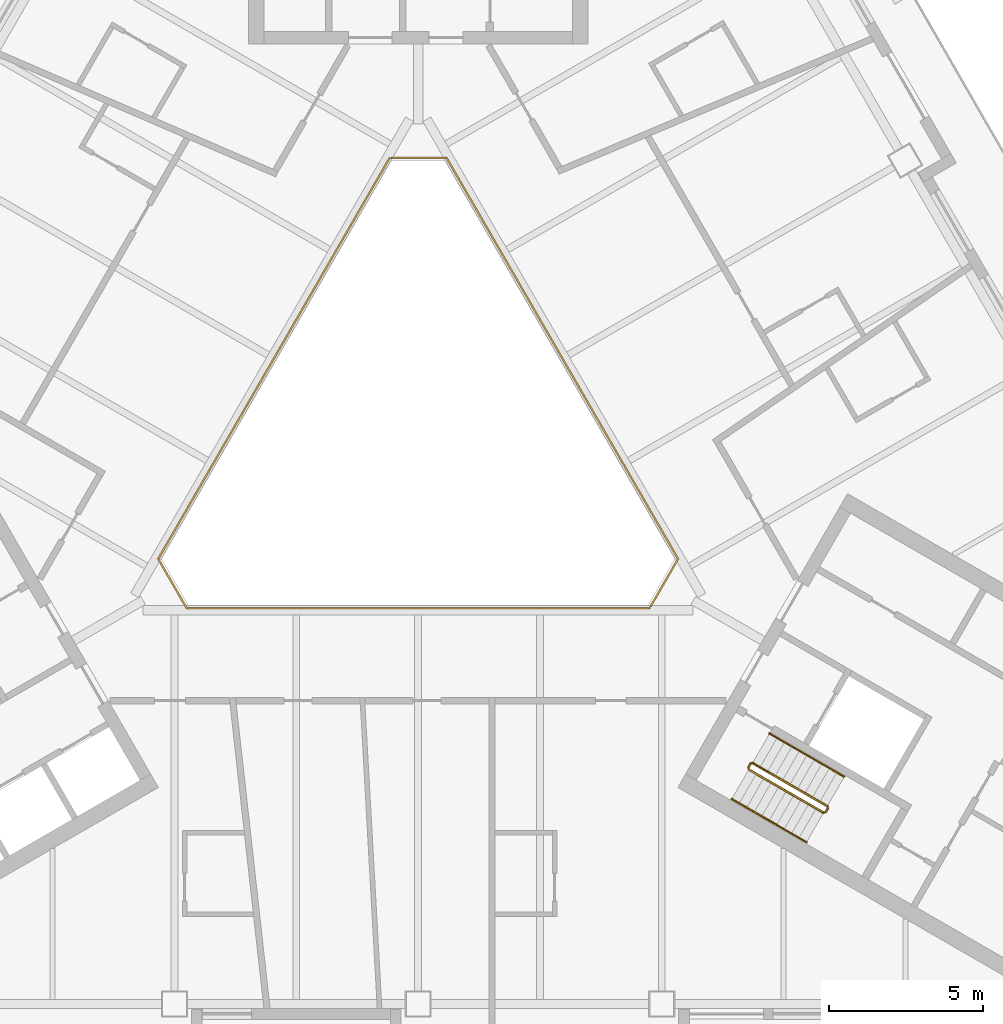
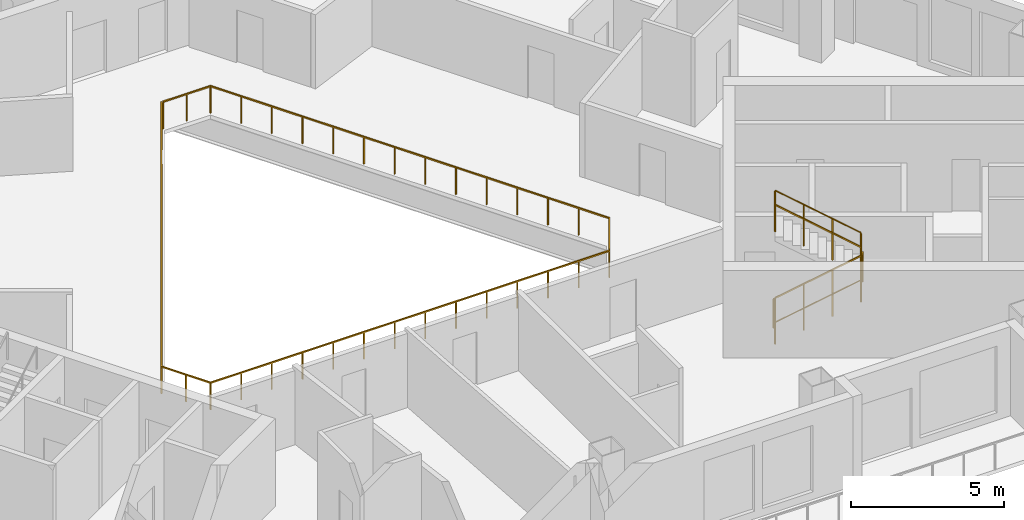
# One storey, part 11 of 13: 8 railings.
"""IFC4 building model written with IfcOpenShell, lengths in metres."""

from ifc_helpers import new_model, si_unit, direction, frame, origin, origin_2d, place, context, subcontext, project, spatial, rectangle, circle, extrude, material, type_object, element, save


model = new_model("IFC4")

# Units and contexts
model_context = context("Model", 3, precision=1e-05, world=origin(), true_north=direction((0.0, 1.0)))
body_context = subcontext(model_context, "Body", "Model", "MODEL_VIEW")
ifc_project = project(units=[si_unit("LENGTHUNIT", "METRE"), si_unit("AREAUNIT", "SQUARE_METRE"), si_unit("VOLUMEUNIT", "CUBIC_METRE"), si_unit("PLANEANGLEUNIT", "RADIAN"), si_unit("MASSUNIT", "GRAM", prefix="KILO")], contexts=[model_context])

# Site, building, storey
site_placement = place(None, origin())
site = spatial("IfcSite", under=ifc_project, at=site_placement, CompositionType="ELEMENT")
building_placement = place(site_placement, origin())
building = spatial("IfcBuilding", under=site, at=building_placement, Name="Apuvela Tower Hotel", CompositionType="ELEMENT")
storey_placement = place(building_placement, frame((0.0, 0.0, 165.10009765625)))
storey = spatial("IfcBuildingStorey", under=building, at=storey_placement, Name="L39", CompositionType="ELEMENT", Elevation=165.10009765625)

# Railings
ifc_material_1 = material(Name="Steel S275 balustrade", Category="steel")
railing_type_1 = type_object("IfcRailingType", Name="COR-GUARD-1100", PredefinedType="GUARDRAIL", material=ifc_material_1)
railing_1_placement = place(storey_placement, frame((10.718994140625, -10.63427734375, 0.16796875)))
element("IfcRailing", 1, at=railing_1_placement, inside=storey, type_object=railing_type_1, Name="L39 ST3 stair guard 1", PredefinedType="GUARDRAIL", context=body_context, shape_type="SweptSolid", body=[
    extrude(rectangle(XDim=0.048095703125, YDim=0.048095703125, at=origin_2d()), frame((0.0, 0.0, 1.076171875), z_axis=(0.742390482028, -0.42860119049, 0.514934356695), x_axis=(0.49998411664, 0.866034573852, 0.0)), (0.0, 0.0, 1.0), 3.26611328125),
    extrude(rectangle(XDim=0.0419921875, YDim=0.0419921875, at=origin_2d()), origin(), (0.0, 0.0, 1.0), 1.052001953125),
    extrude(rectangle(XDim=0.0419921875, YDim=0.0419921875, at=origin_2d()), frame((0.808349609375, -0.466552734375, 0.560546875)), (0.0, 0.0, 1.0), 1.052001953125),
    extrude(rectangle(XDim=0.0419921875, YDim=0.0419921875, at=origin_2d()), frame((1.616455078125, -0.933349609375, 1.121337890625)), (0.0, 0.0, 1.0), 1.052001953125),
    extrude(rectangle(XDim=0.0419921875, YDim=0.0419921875, at=origin_2d()), frame((2.4248046875, -1.39990234375, 1.681884765625)), (0.0, 0.0, 1.0), 1.052001953125),
])
railing_2_placement = place(storey_placement, frame((13.212158203125, -12.015869140625, 1.849853515625)))
element("IfcRailing", 2, at=railing_2_placement, inside=storey, type_object=railing_type_1, Name="L39 ST3 stair guard 2", PredefinedType="GUARDRAIL", context=body_context, shape_type="SweptSolid", body=[
    extrude(rectangle(XDim=0.048095703125, YDim=0.048095703125, at=origin_2d()), frame((0.0, 0.0, 1.076171875), z_axis=(0.499816412211, 0.866131372301, 0.0), x_axis=(-0.866131372301, 0.499816412211, 0.0)), (0.0, 0.0, 1.0), 0.14990234375),
    extrude(rectangle(XDim=0.0419921875, YDim=0.0419921875, at=origin_2d()), origin(), (0.0, 0.0, 1.0), 1.052001953125),
    extrude(rectangle(XDim=0.0419921875, YDim=0.0419921875, at=origin_2d()), frame((0.074951171875, 0.1298828125, 0.0)), (0.0, 0.0, 1.0), 1.052001953125),
])
railing_3_placement = place(storey_placement, frame((13.268798828125, -11.817626953125, 2.01806640625)))
element("IfcRailing", 3, at=railing_3_placement, inside=storey, type_object=railing_type_1, Name="L39 ST3 stair guard 3", PredefinedType="GUARDRAIL", context=body_context, shape_type="SweptSolid", body=[
    extrude(rectangle(XDim=0.048095703125, YDim=0.048095703125, at=origin_2d()), frame((0.0, 0.0, 1.076171875), z_axis=(-0.742390482028, 0.42860119049, 0.514934356695), x_axis=(-0.49998411664, -0.866034573852, 0.0)), (0.0, 0.0, 1.0), 3.26611328125),
    extrude(rectangle(XDim=0.0419921875, YDim=0.0419921875, at=origin_2d()), origin(), (0.0, 0.0, 1.0), 1.052001953125),
    extrude(rectangle(XDim=0.0419921875, YDim=0.0419921875, at=origin_2d()), frame((-0.808349609375, 0.466552734375, 0.560546875)), (0.0, 0.0, 1.0), 1.052001953125),
    extrude(rectangle(XDim=0.0419921875, YDim=0.0419921875, at=origin_2d()), frame((-1.616455078125, 0.933349609375, 1.121337890625)), (0.0, 0.0, 1.0), 1.052001953125),
    extrude(rectangle(XDim=0.0419921875, YDim=0.0419921875, at=origin_2d()), frame((-2.4248046875, 1.39990234375, 1.681884765625)), (0.0, 0.0, 1.0), 1.052001953125),
])
railing_4_placement = place(storey_placement, frame((10.70068359375, -10.56591796875, 0.0)))
element("IfcRailing", 4, at=railing_4_placement, inside=storey, type_object=railing_type_1, Name="L39 ST3 stair guard 4", PredefinedType="GUARDRAIL", context=body_context, shape_type="SweptSolid", body=[
    extrude(rectangle(XDim=0.048095703125, YDim=0.048095703125, at=origin_2d()), frame((0.0, 0.0, 1.076171875), z_axis=(0.499816412211, 0.866131372301, 0.0), x_axis=(-0.866131372301, 0.499816412211, 0.0)), (0.0, 0.0, 1.0), 0.14990234375),
    extrude(rectangle(XDim=0.0419921875, YDim=0.0419921875, at=origin_2d()), origin(), (0.0, 0.0, 1.0), 1.052001953125),
    extrude(rectangle(XDim=0.0419921875, YDim=0.0419921875, at=origin_2d()), frame((0.074951171875, 0.1298828125, 0.0)), (0.0, 0.0, 1.0), 1.052001953125),
])
ifc_material_2 = material(Name="Stainless steel 316 handrail", Category="steel")
railing_type_2 = type_object("IfcRailingType", Name="COR-HANDRAIL-900", PredefinedType="HANDRAIL", material=ifc_material_2)
railing_5_placement = place(storey_placement, frame((10.1689453125, -11.5869140625, 0.16796875)))
element("IfcRailing", 5, at=railing_5_placement, inside=storey, type_object=railing_type_2, Name="L39 ST3 stair handrail 1", PredefinedType="HANDRAIL", context=body_context, shape_type="SweptSolid", body=[
    extrude(circle(Radius=0.02392578125, at=origin_2d()), frame((0.0, 0.0, 0.8759765625), z_axis=(0.742390482028, -0.42860119049, 0.514934356695), x_axis=(0.49998411664, 0.866034573852, 0.0)), (0.0, 0.0, 1.0), 3.26611328125),
    extrude(rectangle(XDim=0.0419921875, YDim=0.0419921875, at=origin_2d()), origin(), (0.0, 0.0, 1.0), 0.851806640625),
    extrude(rectangle(XDim=0.0419921875, YDim=0.0419921875, at=origin_2d()), frame((0.808349609375, -0.466552734375, 0.560546875)), (0.0, 0.0, 1.0), 0.851806640625),
    extrude(rectangle(XDim=0.0419921875, YDim=0.0419921875, at=origin_2d()), frame((1.616455078125, -0.933349609375, 1.121337890625)), (0.0, 0.0, 1.0), 0.851806640625),
    extrude(rectangle(XDim=0.0419921875, YDim=0.0419921875, at=origin_2d()), frame((2.4248046875, -1.39990234375, 1.681884765625)), (0.0, 0.0, 1.0), 0.851806640625),
])
railing_6_placement = place(storey_placement, frame((13.81884765625, -10.864990234375, 2.01806640625)))
element("IfcRailing", 6, at=railing_6_placement, inside=storey, type_object=railing_type_2, Name="L39 ST3 stair handrail 2", PredefinedType="HANDRAIL", context=body_context, shape_type="SweptSolid", body=[
    extrude(circle(Radius=0.02392578125, at=origin_2d()), frame((0.0, 0.0, 0.8759765625), z_axis=(-0.742390482028, 0.42860119049, 0.514934356695), x_axis=(-0.49998411664, -0.866034573852, 0.0)), (0.0, 0.0, 1.0), 3.26611328125),
    extrude(rectangle(XDim=0.0419921875, YDim=0.0419921875, at=origin_2d()), origin(), (0.0, 0.0, 1.0), 0.851806640625),
    extrude(rectangle(XDim=0.0419921875, YDim=0.0419921875, at=origin_2d()), frame((-0.808349609375, 0.466552734375, 0.560546875)), (0.0, 0.0, 1.0), 0.851806640625),
    extrude(rectangle(XDim=0.0419921875, YDim=0.0419921875, at=origin_2d()), frame((-1.616455078125, 0.933349609375, 1.121337890625)), (0.0, 0.0, 1.0), 0.851806640625),
    extrude(rectangle(XDim=0.0419921875, YDim=0.0419921875, at=origin_2d()), frame((-2.4248046875, 1.39990234375, 1.681884765625)), (0.0, 0.0, 1.0), 0.851806640625),
])
ifc_material_3 = material(Name="Stainless steel 316 rail with laminated glass infill", Category="steel")
railing_type_3 = type_object("IfcRailingType", Name="ENV-GUARD-1100", PredefinedType="GUARDRAIL", material=ifc_material_3)
railing_7_placement = place(storey_placement, frame((-0.923828125, 9.199951171875, 0.0)))
element("IfcRailing", 7, at=railing_7_placement, inside=storey, type_object=railing_type_3, Name="Atrium void guard A L39", PredefinedType="GUARDRAIL", context=body_context, shape_type="SweptSolid", body=[
    extrude(rectangle(XDim=0.050048828125, YDim=0.050048828125, at=origin_2d()), frame((0.0, 0.0, 1.0751953125), z_axis=(-0.499990886379, -0.866030665472, 0.0), x_axis=(0.866030665472, -0.499990886379, 0.0)), (0.0, 0.0, 1.0), 15.010986328125),
    extrude(rectangle(XDim=0.050048828125, YDim=0.050048828125, at=origin_2d()), frame((-7.50537109375, -13.0, 1.0751953125), z_axis=(0.499962699187, -0.866046938348, 0.0), x_axis=(0.866046938348, 0.499962699187, 0.0)), (0.0, 0.0, 1.0), 1.847412109375),
    extrude(rectangle(XDim=0.050048828125, YDim=0.050048828125, at=origin_2d()), frame((-6.581787109375, -14.599853515625, 1.0751953125), z_axis=(1.0, 0.0, 0.0), x_axis=(0.0, 1.0, 0.0)), (0.0, 0.0, 1.0), 15.01123046875),
    extrude(rectangle(XDim=0.0400390625, YDim=0.0400390625, at=origin_2d()), origin(), (0.0, 0.0, 1.0), 1.050048828125),
    extrude(rectangle(XDim=0.0400390625, YDim=0.0400390625, at=origin_2d()), frame((-0.577392578125, -1.0, 0.0)), (0.0, 0.0, 1.0), 1.050048828125),
    extrude(rectangle(XDim=0.0400390625, YDim=0.0400390625, at=origin_2d()), frame((-1.15478515625, -2.0, 0.0)), (0.0, 0.0, 1.0), 1.050048828125),
    extrude(rectangle(XDim=0.0400390625, YDim=0.0400390625, at=origin_2d()), frame((-1.73193359375, -3.0, 0.0)), (0.0, 0.0, 1.0), 1.050048828125),
    extrude(rectangle(XDim=0.0400390625, YDim=0.0400390625, at=origin_2d()), frame((-2.309326171875, -4.0, 0.0)), (0.0, 0.0, 1.0), 1.050048828125),
    extrude(rectangle(XDim=0.0400390625, YDim=0.0400390625, at=origin_2d()), frame((-2.88671875, -5.0, 0.0)), (0.0, 0.0, 1.0), 1.050048828125),
    extrude(rectangle(XDim=0.0400390625, YDim=0.0400390625, at=origin_2d()), frame((-3.464111328125, -6.0, 0.0)), (0.0, 0.0, 1.0), 1.050048828125),
    extrude(rectangle(XDim=0.0400390625, YDim=0.0400390625, at=origin_2d()), frame((-4.041259765625, -7.0, 0.0)), (0.0, 0.0, 1.0), 1.050048828125),
    extrude(rectangle(XDim=0.0400390625, YDim=0.0400390625, at=origin_2d()), frame((-4.61865234375, -8.0, 0.0)), (0.0, 0.0, 1.0), 1.050048828125),
    extrude(rectangle(XDim=0.0400390625, YDim=0.0400390625, at=origin_2d()), frame((-5.196044921875, -9.0, 0.0)), (0.0, 0.0, 1.0), 1.050048828125),
    extrude(rectangle(XDim=0.0400390625, YDim=0.0400390625, at=origin_2d()), frame((-5.7734375, -10.0, 0.0)), (0.0, 0.0, 1.0), 1.050048828125),
    extrude(rectangle(XDim=0.0400390625, YDim=0.0400390625, at=origin_2d()), frame((-6.3505859375, -11.0, 0.0)), (0.0, 0.0, 1.0), 1.050048828125),
    extrude(rectangle(XDim=0.0400390625, YDim=0.0400390625, at=origin_2d()), frame((-6.927978515625, -12.0, 0.0)), (0.0, 0.0, 1.0), 1.050048828125),
    extrude(rectangle(XDim=0.0400390625, YDim=0.0400390625, at=origin_2d()), frame((-7.50537109375, -13.0, 0.0)), (0.0, 0.0, 1.0), 1.050048828125),
    extrude(rectangle(XDim=0.0400390625, YDim=0.0400390625, at=origin_2d()), frame((-7.04345703125, -13.7998046875, 0.0)), (0.0, 0.0, 1.0), 1.050048828125),
    extrude(rectangle(XDim=0.0400390625, YDim=0.0400390625, at=origin_2d()), frame((-6.581787109375, -14.599853515625, 0.0)), (0.0, 0.0, 1.0), 1.050048828125),
    extrude(rectangle(XDim=0.0400390625, YDim=0.0400390625, at=origin_2d()), frame((-5.427001953125, -14.599853515625, 0.0)), (0.0, 0.0, 1.0), 1.050048828125),
    extrude(rectangle(XDim=0.0400390625, YDim=0.0400390625, at=origin_2d()), frame((-4.2724609375, -14.599853515625, 0.0)), (0.0, 0.0, 1.0), 1.050048828125),
    extrude(rectangle(XDim=0.0400390625, YDim=0.0400390625, at=origin_2d()), frame((-3.11767578125, -14.599853515625, 0.0)), (0.0, 0.0, 1.0), 1.050048828125),
    extrude(rectangle(XDim=0.0400390625, YDim=0.0400390625, at=origin_2d()), frame((-1.962890625, -14.599853515625, 0.0)), (0.0, 0.0, 1.0), 1.050048828125),
    extrude(rectangle(XDim=0.0400390625, YDim=0.0400390625, at=origin_2d()), frame((-0.808349609375, -14.599853515625, 0.0)), (0.0, 0.0, 1.0), 1.050048828125),
    extrude(rectangle(XDim=0.0400390625, YDim=0.0400390625, at=origin_2d()), frame((0.346435546875, -14.599853515625, 0.0)), (0.0, 0.0, 1.0), 1.050048828125),
    extrude(rectangle(XDim=0.0400390625, YDim=0.0400390625, at=origin_2d()), frame((1.501220703125, -14.599853515625, 0.0)), (0.0, 0.0, 1.0), 1.050048828125),
    extrude(rectangle(XDim=0.0400390625, YDim=0.0400390625, at=origin_2d()), frame((2.656005859375, -14.599853515625, 0.0)), (0.0, 0.0, 1.0), 1.050048828125),
    extrude(rectangle(XDim=0.0400390625, YDim=0.0400390625, at=origin_2d()), frame((3.810546875, -14.599853515625, 0.0)), (0.0, 0.0, 1.0), 1.050048828125),
    extrude(rectangle(XDim=0.0400390625, YDim=0.0400390625, at=origin_2d()), frame((4.96533203125, -14.599853515625, 0.0)), (0.0, 0.0, 1.0), 1.050048828125),
    extrude(rectangle(XDim=0.0400390625, YDim=0.0400390625, at=origin_2d()), frame((6.1201171875, -14.599853515625, 0.0)), (0.0, 0.0, 1.0), 1.050048828125),
    extrude(rectangle(XDim=0.0400390625, YDim=0.0400390625, at=origin_2d()), frame((7.274658203125, -14.599853515625, 0.0)), (0.0, 0.0, 1.0), 1.050048828125),
    extrude(rectangle(XDim=0.0400390625, YDim=0.0400390625, at=origin_2d()), frame((8.429443359375, -14.599853515625, 0.0)), (0.0, 0.0, 1.0), 1.050048828125),
])
railing_8_placement = place(storey_placement, frame((7.53564453125, -5.347900390625, 0.0)))
element("IfcRailing", 8, at=railing_8_placement, inside=storey, type_object=railing_type_3, Name="Atrium void guard B L39", PredefinedType="GUARDRAIL", context=body_context, shape_type="SweptSolid", body=[
    extrude(rectangle(XDim=0.050048828125, YDim=0.050048828125, at=origin_2d()), frame((0.0, 0.0, 1.0751953125), z_axis=(0.499958946799, 0.866049104564, 0.0), x_axis=(-0.866049104564, 0.499958946799, 0.0)), (0.0, 0.0, 1.0), 1.787353515625),
    extrude(rectangle(XDim=0.050048828125, YDim=0.050048828125, at=origin_2d()), frame((0.8935546875, 1.5478515625, 1.0751953125), z_axis=(-0.499990886379, 0.866030665472, 0.0), x_axis=(-0.866030665472, -0.499990886379, 0.0)), (0.0, 0.0, 1.0), 15.010986328125),
    extrude(rectangle(XDim=0.050048828125, YDim=0.050048828125, at=origin_2d()), frame((-6.61181640625, 14.5478515625, 1.0751953125), z_axis=(-1.0, 0.0, 0.0), x_axis=(0.0, -1.0, 0.0)), (0.0, 0.0, 1.0), 1.78759765625),
    extrude(rectangle(XDim=0.0400390625, YDim=0.0400390625, at=origin_2d()), origin(), (0.0, 0.0, 1.0), 1.050048828125),
    extrude(rectangle(XDim=0.0400390625, YDim=0.0400390625, at=origin_2d()), frame((0.44677734375, 0.77392578125, 0.0)), (0.0, 0.0, 1.0), 1.050048828125),
    extrude(rectangle(XDim=0.0400390625, YDim=0.0400390625, at=origin_2d()), frame((0.8935546875, 1.5478515625, 0.0)), (0.0, 0.0, 1.0), 1.050048828125),
    extrude(rectangle(XDim=0.0400390625, YDim=0.0400390625, at=origin_2d()), frame((0.316162109375, 2.5478515625, 0.0)), (0.0, 0.0, 1.0), 1.050048828125),
    extrude(rectangle(XDim=0.0400390625, YDim=0.0400390625, at=origin_2d()), frame((-0.26123046875, 3.5478515625, 0.0)), (0.0, 0.0, 1.0), 1.050048828125),
    extrude(rectangle(XDim=0.0400390625, YDim=0.0400390625, at=origin_2d()), frame((-0.83837890625, 4.5478515625, 0.0)), (0.0, 0.0, 1.0), 1.050048828125),
    extrude(rectangle(XDim=0.0400390625, YDim=0.0400390625, at=origin_2d()), frame((-1.415771484375, 5.5478515625, 0.0)), (0.0, 0.0, 1.0), 1.050048828125),
    extrude(rectangle(XDim=0.0400390625, YDim=0.0400390625, at=origin_2d()), frame((-1.9931640625, 6.5478515625, 0.0)), (0.0, 0.0, 1.0), 1.050048828125),
    extrude(rectangle(XDim=0.0400390625, YDim=0.0400390625, at=origin_2d()), frame((-2.570556640625, 7.5478515625, 0.0)), (0.0, 0.0, 1.0), 1.050048828125),
    extrude(rectangle(XDim=0.0400390625, YDim=0.0400390625, at=origin_2d()), frame((-3.147705078125, 8.5478515625, 0.0)), (0.0, 0.0, 1.0), 1.050048828125),
    extrude(rectangle(XDim=0.0400390625, YDim=0.0400390625, at=origin_2d()), frame((-3.72509765625, 9.5478515625, 0.0)), (0.0, 0.0, 1.0), 1.050048828125),
    extrude(rectangle(XDim=0.0400390625, YDim=0.0400390625, at=origin_2d()), frame((-4.302490234375, 10.5478515625, 0.0)), (0.0, 0.0, 1.0), 1.050048828125),
    extrude(rectangle(XDim=0.0400390625, YDim=0.0400390625, at=origin_2d()), frame((-4.8798828125, 11.5478515625, 0.0)), (0.0, 0.0, 1.0), 1.050048828125),
    extrude(rectangle(XDim=0.0400390625, YDim=0.0400390625, at=origin_2d()), frame((-5.45703125, 12.5478515625, 0.0)), (0.0, 0.0, 1.0), 1.050048828125),
    extrude(rectangle(XDim=0.0400390625, YDim=0.0400390625, at=origin_2d()), frame((-6.034423828125, 13.5478515625, 0.0)), (0.0, 0.0, 1.0), 1.050048828125),
    extrude(rectangle(XDim=0.0400390625, YDim=0.0400390625, at=origin_2d()), frame((-6.61181640625, 14.5478515625, 0.0)), (0.0, 0.0, 1.0), 1.050048828125),
    extrude(rectangle(XDim=0.0400390625, YDim=0.0400390625, at=origin_2d()), frame((-7.505615234375, 14.5478515625, 0.0)), (0.0, 0.0, 1.0), 1.050048828125),
    extrude(rectangle(XDim=0.0400390625, YDim=0.0400390625, at=origin_2d()), frame((-8.3994140625, 14.5478515625, 0.0)), (0.0, 0.0, 1.0), 1.050048828125),
])

save(model, "model.ifc")
